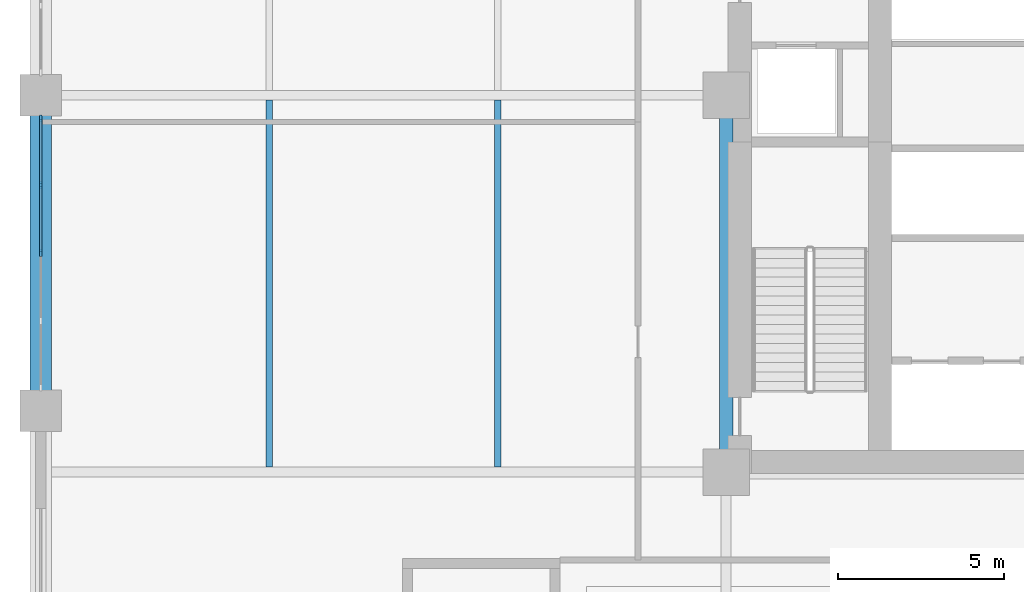
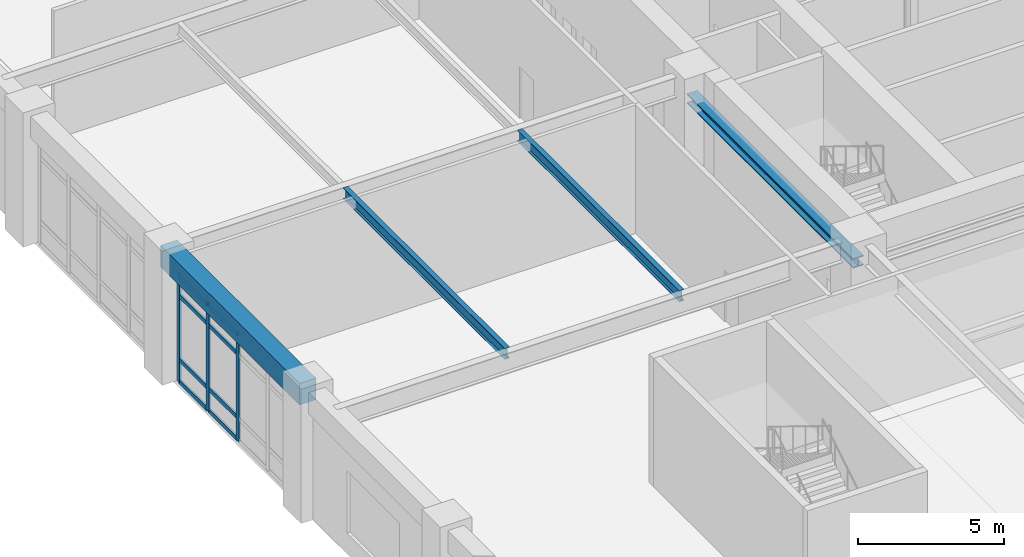
# One storey, part 3 of 21: 12 members, 3 beams, 1 element without a shape of its own.
"""IFC4 building model written with IfcOpenShell, lengths in metres."""

import ifcopenshell
import ifcopenshell.guid

model = None  # the IFC model being written
_history = None  # IfcOwnerHistory: only IFC2X3 demands one
_inside = {}  # id of a spatial element -> (the spatial element, [elements in it])
_under = {}  # id of a project, library or spatial element -> (it, [spatial elements below it])
_declared = {}  # id of a project -> (the project, [libraries it declares])
_typed = {}  # id of a type object -> (the type object, [elements of that type])
_made_of = {}  # id of a material, layer set ... -> (it, [elements and type objects made of it])


def new_model(schema):
    """Start an empty IFC model of exactly this schema.

    Asked for "IFC4X3", IfcOpenShell would pick the latest addendum, in which some entities
    have other attributes; the version numbers below select the first issue.
    IFC2X3 requires an IfcOwnerHistory on every rooted entity: one is made here for all.
    """
    global model, _history
    if schema == "IFC4X3":
        model = ifcopenshell.file(schema_version=(4, 3, 0, 0))
    else:
        model = ifcopenshell.file(schema=schema)
    _inside.clear()
    _under.clear()
    _declared.clear()
    _typed.clear()
    _made_of.clear()
    _history = None
    if model.schema == "IFC2X3":
        org = make("IfcOrganization", Name="unknown")
        user = make(
            "IfcPersonAndOrganization",
            ThePerson=make("IfcPerson", FamilyName="unknown"),
            TheOrganization=org,
        )
        app = make(
            "IfcApplication",
            ApplicationDeveloper=org,
            Version="unknown",
            ApplicationFullName="unknown",
            ApplicationIdentifier="unknown",
        )
        _history = make(
            "IfcOwnerHistory",
            OwningUser=user,
            OwningApplication=app,
            ChangeAction="ADDED",
            CreationDate=0,
        )
    return model


def make(cls, **values):
    """One entity of the class cls with the attributes given. An attribute that is None is left unset."""
    return model.create_entity(
        cls, **{name: value for name, value in values.items() if value is not None}
    )


def rooted(cls, **values):
    """An entity with a GlobalId (a new one), such as an element, a storey or a relation."""
    return make(cls, GlobalId=ifcopenshell.guid.new(), OwnerHistory=_history, **values)


def si_unit(unit_type, name, prefix=None):
    """IfcSIUnit, for example si_unit("LENGTHUNIT", "METRE", prefix="MILLI")."""
    return make("IfcSIUnit", UnitType=unit_type, Prefix=prefix, Name=name)


def assignment(units):
    """IfcUnitAssignment: the units of a project."""
    return None if units is None else make("IfcUnitAssignment", Units=units)


def point(xyz):
    """IfcCartesianPoint."""
    return None if xyz is None else make("IfcCartesianPoint", Coordinates=xyz)


def direction(xyz):
    """IfcDirection."""
    return None if xyz is None else make("IfcDirection", DirectionRatios=xyz)


def frame(location, z_axis=None, x_axis=None):
    """IfcAxis2Placement3D, a coordinate frame: its origin and axes. An axis left out is left unset."""
    return make(
        "IfcAxis2Placement3D",
        Location=point(location),
        Axis=direction(z_axis),
        RefDirection=direction(x_axis),
    )


def frame_2d(location, x_axis=None):
    """IfcAxis2Placement2D, a coordinate frame in the plane: its origin and x axis."""
    return make(
        "IfcAxis2Placement2D", Location=point(location), RefDirection=direction(x_axis)
    )


def origin():
    """The frame at (0, 0, 0) with its axes left unset."""
    return frame((0.0, 0.0, 0.0))


def origin_2d():
    """The frame at (0, 0) in the plane with its x axis left unset."""
    return frame_2d((0.0, 0.0))


def place(relative_to, where):
    """IfcLocalPlacement: puts the frame where relative to a parent placement (None: the world)."""
    return make(
        "IfcLocalPlacement", PlacementRelTo=relative_to, RelativePlacement=where
    )


def context(
    kind, dimensions, precision=None, world=None, true_north=None, identifier=None
):
    """IfcGeometricRepresentationContext, for example the 3D "Model" context."""
    return make(
        "IfcGeometricRepresentationContext",
        ContextIdentifier=identifier,
        ContextType=kind,
        CoordinateSpaceDimension=dimensions,
        Precision=precision,
        WorldCoordinateSystem=world,
        TrueNorth=true_north,
    )


def subcontext(parent, identifier, kind, view, scale=None):
    """IfcGeometricRepresentationSubContext, for example "Body" below "Model"."""
    return make(
        "IfcGeometricRepresentationSubContext",
        ContextIdentifier=identifier,
        ContextType=kind,
        ParentContext=parent,
        TargetScale=scale,
        TargetView=view,
    )


def project(units=None, contexts=None):
    """IfcProject with its units and contexts."""
    return rooted(
        "IfcProject",
        Name="project",
        RepresentationContexts=contexts,
        UnitsInContext=assignment(units),
    )


def spatial(cls, under=None, at=None, **own):
    """A site, building, storey or space (cls), placed at a placement, below another one or the project."""
    s = rooted(cls, ObjectPlacement=at, **own)
    if under is not None:
        _under.setdefault(under.id(), (under, []))[1].append(s)
    return s


def profile(cls, at=None, kind="AREA", **sizes):
    """A parametric profile (cls). Its sizes go by their IFC names, for example OverallWidth=200.0."""
    return make(cls, ProfileType=kind, Position=at, **sizes)


def rectangle(**sizes):
    """IfcRectangleProfileDef."""
    return profile("IfcRectangleProfileDef", **sizes)


def i_section(**sizes):
    """IfcIShapeProfileDef."""
    return profile("IfcIShapeProfileDef", **sizes)


def extrude(swept, where, along, depth):
    """IfcExtrudedAreaSolid: the profile swept, set in the frame where, extruded along a direction by depth."""
    return make(
        "IfcExtrudedAreaSolid",
        SweptArea=swept,
        Position=where,
        ExtrudedDirection=direction(along),
        Depth=depth,
    )


def shape(context_of_items, identifier, shape_type, items):
    """IfcShapeRepresentation: the items that make up one representation, for example the "Body"."""
    return make(
        "IfcShapeRepresentation",
        ContextOfItems=context_of_items,
        RepresentationIdentifier=identifier,
        RepresentationType=shape_type,
        Items=items,
    )


def material(Name=None, Category=None):
    """IfcMaterial."""
    return make("IfcMaterial", Name=Name, Category=Category)


def layer(
    of_material, thickness, ventilated=None, Name=None, Category=None, Priority=None
):
    """IfcMaterialLayer: one layer of a wall or slab, of a material (None: an air gap)."""
    return make(
        "IfcMaterialLayer",
        Material=of_material,
        LayerThickness=thickness,
        IsVentilated=ventilated,
        Name=Name,
        Category=Category,
        Priority=Priority,
    )


def layer_set(layers, Name=None):
    """IfcMaterialLayerSet."""
    return make("IfcMaterialLayerSet", MaterialLayers=layers, LayerSetName=Name)


def material_profile(
    of_material, cross_section, Name=None, Category=None, Priority=None
):
    """IfcMaterialProfile: a cross section and its material."""
    return make(
        "IfcMaterialProfile",
        Name=Name,
        Material=of_material,
        Profile=cross_section,
        Priority=Priority,
        Category=Category,
    )


def profile_set(profiles, Name=None, composite=None):
    """IfcMaterialProfileSet."""
    return make(
        "IfcMaterialProfileSet",
        Name=Name,
        MaterialProfiles=profiles,
        CompositeProfile=composite,
    )


def made_of(thing, what):
    """Note that an element or type object is made of a material, layer set ...; save() writes the relation."""
    if what is not None:
        _made_of.setdefault(what.id(), (what, []))[1].append(thing)
    return thing


def type_object(cls, material=None, **own):
    """A type object (cls), such as IfcWallType, which elements share."""
    return made_of(rooted(cls, **own), material)


def element(
    cls,
    number,
    at=None,
    inside=None,
    cuts=None,
    type_object=None,
    material=None,
    context=None,
    identifier="Body",
    shape_type=None,
    held_by="IfcProductDefinitionShape",
    body=None,
    shapes=None,
    **own,
):
    """One element of the class cls, such as IfcWall. Its Tag is "e" and its number.

    at: its placement. inside: the storey or other place that contains it. cuts: it is an
    opening in that element (IfcRelVoidsElement). A single representation is given by context,
    identifier, shape_type and body (its items); several are given by shapes. held_by: the class
    of the entity that holds the representations. save() writes the other relations.
    """
    e = rooted(cls, Tag="e%d" % number, ObjectPlacement=at, **own)
    if body is not None:
        shapes = [shape(context, identifier, shape_type, body)]
    if shapes is not None:
        e.Representation = make(held_by, Representations=shapes)
    if inside is not None:
        _inside.setdefault(inside.id(), (inside, []))[1].append(e)
    if cuts is not None:
        rooted(
            "IfcRelVoidsElement", RelatingBuildingElement=cuts, RelatedOpeningElement=e
        )
    if type_object is not None:
        _typed.setdefault(type_object.id(), (type_object, []))[1].append(e)
    return made_of(e, material)


def aggregate(whole, parts):
    """IfcRelAggregates: a whole, such as a stair, and the parts it consists of."""
    return rooted("IfcRelAggregates", RelatingObject=whole, RelatedObjects=parts)


def save(model, path):
    """Write the relations noted so far, then the file.

    IfcRelAggregates (storeys below a building ...), IfcRelContainedInSpatialStructure (elements
    in a storey), IfcRelDefinesByType, IfcRelAssociatesMaterial and IfcRelDeclares: one each for
    every whole, place, type object, material and project.
    """
    for whole, parts in _under.values():
        aggregate(whole, parts)
    for where, things in _inside.values():
        rooted(
            "IfcRelContainedInSpatialStructure",
            RelatedElements=things,
            RelatingStructure=where,
        )
    for kind, things in _typed.values():
        rooted("IfcRelDefinesByType", RelatedObjects=things, RelatingType=kind)
    for what, things in _made_of.values():
        rooted("IfcRelAssociatesMaterial", RelatedObjects=things, RelatingMaterial=what)
    for by, libraries in _declared.values():
        rooted("IfcRelDeclares", RelatingContext=by, RelatedDefinitions=libraries)
    model.write(path)


model = new_model("IFC4")

# Units and contexts
model_context = context("Model", 3, precision=1e-05, world=origin(), true_north=direction((0.0, 1.0)))
body_context = subcontext(model_context, "Body", "Model", "MODEL_VIEW")
ifc_project = project(units=[si_unit("LENGTHUNIT", "METRE"), si_unit("AREAUNIT", "SQUARE_METRE"), si_unit("VOLUMEUNIT", "CUBIC_METRE"), si_unit("PLANEANGLEUNIT", "RADIAN"), si_unit("MASSUNIT", "GRAM", prefix="KILO")], contexts=[model_context])

# Site, building, storey
site_placement = place(None, origin())
site = spatial("IfcSite", under=ifc_project, at=site_placement, CompositionType="ELEMENT")
building_placement = place(site_placement, origin())
building = spatial("IfcBuilding", under=site, at=building_placement, Name="Nhamokura Convention Tower", CompositionType="ELEMENT")
storey_placement = place(building_placement, frame((0.0, 0.0, 12.25)))
storey = spatial("IfcBuildingStorey", under=building, at=storey_placement, Name="L02", CompositionType="ELEMENT", Elevation=12.25)

# Curtain wall, members
ifc_material_1 = material(Name="Anodised bronze aluminium AA6063-T6", Category="aluminium")
ifc_layer = layer(ifc_material_1, 0.199951171875)
ifc_layer_set = layer_set([ifc_layer], Name="CWSystem_ConventionFoyer")
curtain_wall_type = type_object("IfcCurtainWallType", Name="CWSystem_ConventionFoyer", PredefinedType="NOTDEFINED", material=ifc_layer_set)
curtain_wall_placement = place(storey_placement, origin())
curtain_wall = element("IfcCurtainWall", 1, at=curtain_wall_placement, inside=storey, type_object=curtain_wall_type, Name="L02 Curtain Wall ENV-L02-CW-W2", PredefinedType="NOTDEFINED")
ifc_material_2 = material(Name="Anodised bronze aluminium AA6063-T6", Category="aluminium")
ifc_material_profile_1 = material_profile(ifc_material_2, rectangle(XDim=0.074951171875, YDim=0.199951171875, at=origin_2d()))
ifc_profile_set_1 = profile_set([ifc_material_profile_1], Name="Anodised bronze aluminium AA6063-T6")
member_type_1 = type_object("IfcMemberType", Name="CWMullion_2", PredefinedType="MULLION", material=ifc_profile_set_1)
member_1_placement = place(storey_placement, frame((0.0, 27.25, 0.0), z_axis=(0.0, 0.0, 1.0), x_axis=(-1.0, 0.0, 0.0)))
member_1 = element("IfcMember", 2, at=member_1_placement, type_object=member_type_1, Name="CW-02 mullion 3", PredefinedType="MULLION", context=body_context, shape_type="SweptSolid", body=[
    extrude(rectangle(XDim=0.074951171875, YDim=0.199951171875, at=origin_2d()), origin(), (0.0, 0.0, 1.0), 4.4599609375),
])
member_2_placement = place(storey_placement, frame((0.0, 29.300048828125, 0.0), z_axis=(0.0, 0.0, 1.0), x_axis=(-1.0, 0.0, 0.0)))
member_2 = element("IfcMember", 3, at=member_2_placement, type_object=member_type_1, Name="CW-02 mullion 4", PredefinedType="MULLION", context=body_context, shape_type="SweptSolid", body=[
    extrude(rectangle(XDim=0.074951171875, YDim=0.199951171875, at=origin_2d()), origin(), (0.0, 0.0, 1.0), 4.4599609375),
])
member_3_placement = place(storey_placement, frame((0.0, 31.3125, 0.0), z_axis=(0.0, 0.0, 1.0), x_axis=(-1.0, 0.0, 0.0)))
member_3 = element("IfcMember", 4, at=member_3_placement, type_object=member_type_1, Name="CW-02 mullion 5", PredefinedType="MULLION", context=body_context, shape_type="SweptSolid", body=[
    extrude(rectangle(XDim=0.074951171875, YDim=0.199951171875, at=origin_2d()), origin(), (0.0, 0.0, 1.0), 4.4599609375),
])
ifc_material_3 = material(Name="Anodised bronze aluminium AA6063-T6", Category="aluminium")
ifc_material_profile_2 = material_profile(ifc_material_3, rectangle(XDim=0.074951171875, YDim=0.169921875, at=origin_2d()))
ifc_profile_set_2 = profile_set([ifc_material_profile_2], Name="Anodised bronze aluminium AA6063-T6")
member_type_2 = type_object("IfcMemberType", Name="CWTransom_2", PredefinedType="USERDEFINED", material=ifc_profile_set_2)
member_4_placement = place(storey_placement, frame((0.0, 27.28759765625, 0.03759765625), z_axis=(0.0, 1.0, 0.0), x_axis=(-1.0, 0.0, 0.0)))
member_4 = element("IfcMember", 5, at=member_4_placement, type_object=member_type_2, Name="CW-02 transom 3.1", ObjectType="TRANSOM", PredefinedType="USERDEFINED", context=body_context, shape_type="SweptSolid", body=[
    extrude(rectangle(XDim=0.074951171875, YDim=0.169921875, at=origin_2d()), origin(), (0.0, 0.0, 1.0), 1.974853515625),
])
member_5_placement = place(storey_placement, frame((0.0, 27.28759765625, 0.949951171875), z_axis=(0.0, 1.0, 0.0), x_axis=(-1.0, 0.0, 0.0)))
member_5 = element("IfcMember", 6, at=member_5_placement, type_object=member_type_2, Name="CW-02 transom 3.2", ObjectType="TRANSOM", PredefinedType="USERDEFINED", context=body_context, shape_type="SweptSolid", body=[
    extrude(rectangle(XDim=0.074951171875, YDim=0.169921875, at=origin_2d()), origin(), (0.0, 0.0, 1.0), 1.974853515625),
])
member_6_placement = place(storey_placement, frame((0.0, 27.28759765625, 3.610107421875), z_axis=(0.0, 1.0, 0.0), x_axis=(-1.0, 0.0, 0.0)))
member_6 = element("IfcMember", 7, at=member_6_placement, type_object=member_type_2, Name="CW-02 transom 3.3", ObjectType="TRANSOM", PredefinedType="USERDEFINED", context=body_context, shape_type="SweptSolid", body=[
    extrude(rectangle(XDim=0.074951171875, YDim=0.169921875, at=origin_2d()), origin(), (0.0, 0.0, 1.0), 1.974853515625),
])
member_7_placement = place(storey_placement, frame((0.0, 27.28759765625, 4.422607421875), z_axis=(0.0, 1.0, 0.0), x_axis=(-1.0, 0.0, 0.0)))
member_7 = element("IfcMember", 8, at=member_7_placement, type_object=member_type_2, Name="CW-02 transom 3.4", ObjectType="TRANSOM", PredefinedType="USERDEFINED", context=body_context, shape_type="SweptSolid", body=[
    extrude(rectangle(XDim=0.074951171875, YDim=0.169921875, at=origin_2d()), origin(), (0.0, 0.0, 1.0), 1.974853515625),
])
member_8_placement = place(storey_placement, frame((0.0, 29.33740234375, 0.03759765625), z_axis=(0.0, 1.0, 0.0), x_axis=(-1.0, 0.0, 0.0)))
member_8 = element("IfcMember", 9, at=member_8_placement, type_object=member_type_2, Name="CW-02 transom 4.1", ObjectType="TRANSOM", PredefinedType="USERDEFINED", context=body_context, shape_type="SweptSolid", body=[
    extrude(rectangle(XDim=0.074951171875, YDim=0.169921875, at=origin_2d()), origin(), (0.0, 0.0, 1.0), 1.9375),
])
member_9_placement = place(storey_placement, frame((0.0, 29.33740234375, 0.949951171875), z_axis=(0.0, 1.0, 0.0), x_axis=(-1.0, 0.0, 0.0)))
member_9 = element("IfcMember", 10, at=member_9_placement, type_object=member_type_2, Name="CW-02 transom 4.2", ObjectType="TRANSOM", PredefinedType="USERDEFINED", context=body_context, shape_type="SweptSolid", body=[
    extrude(rectangle(XDim=0.074951171875, YDim=0.169921875, at=origin_2d()), origin(), (0.0, 0.0, 1.0), 1.9375),
])
member_10_placement = place(storey_placement, frame((0.0, 29.33740234375, 3.610107421875), z_axis=(0.0, 1.0, 0.0), x_axis=(-1.0, 0.0, 0.0)))
member_10 = element("IfcMember", 11, at=member_10_placement, type_object=member_type_2, Name="CW-02 transom 4.3", ObjectType="TRANSOM", PredefinedType="USERDEFINED", context=body_context, shape_type="SweptSolid", body=[
    extrude(rectangle(XDim=0.074951171875, YDim=0.169921875, at=origin_2d()), origin(), (0.0, 0.0, 1.0), 1.9375),
])
member_11_placement = place(storey_placement, frame((0.0, 29.33740234375, 4.422607421875), z_axis=(0.0, 1.0, 0.0), x_axis=(-1.0, 0.0, 0.0)))
member_11 = element("IfcMember", 12, at=member_11_placement, type_object=member_type_2, Name="CW-02 transom 4.4", ObjectType="TRANSOM", PredefinedType="USERDEFINED", context=body_context, shape_type="SweptSolid", body=[
    extrude(rectangle(XDim=0.074951171875, YDim=0.169921875, at=origin_2d()), origin(), (0.0, 0.0, 1.0), 1.9375),
])
aggregate(curtain_wall, [member_1, member_2, member_3, member_4, member_5, member_6, member_7, member_8, member_9, member_10, member_11])

# Beams
ifc_material_4 = material(Name="Steel ASTM A992 Gr 50", Category="steel")
ifc_material_profile_3 = material_profile(ifc_material_4, i_section(OverallWidth=0.19189453125, OverallDepth=0.462890625, WebThickness=0.010498046875, FlangeThickness=0.017578125, at=origin_2d()))
ifc_profile_set_3 = profile_set([ifc_material_profile_3], Name="Steel ASTM A992 Gr 50")
beam_type_1 = type_object("IfcBeamType", Name="FloorJoist_W460X89", PredefinedType="JOIST", material=ifc_profile_set_3)
for number, where, z_axis, x_axis, name in (
    (13, (6.88330078125, 20.794921875, 5.12841796875), (0.0, 1.0, 0.0), (-1.0, 0.0, 0.0), "L02 Composite Floor Joist W1A"),
    (14, (13.7666015625, 20.794921875, 5.12841796875), (0.0, 1.0, 0.0), (-1.0, 0.0, 0.0), "L02 Composite Floor Joist W2A"),
):
    element("IfcBeam", number, at=place(storey_placement, frame(where, z_axis=z_axis, x_axis=x_axis)), inside=storey, type_object=beam_type_1, Name=name, PredefinedType="JOIST", context=body_context, shape_type="SweptSolid", body=[
        extrude(i_section(OverallWidth=0.19189453125, OverallDepth=0.462890625, WebThickness=0.010498046875, FlangeThickness=0.017578125, at=origin_2d()), origin(), (0.0, 0.0, 1.0), 11.06005859375),
    ])

# Member
ifc_material_5 = material(Name="Steel ASTM A572 Gr 50", Category="steel")
ifc_material_profile_4 = material_profile(ifc_material_5, i_section(OverallWidth=0.404052734375, OverallDepth=0.406982421875, WebThickness=0.027099609375, FlangeThickness=0.043701171875, at=origin_2d()))
ifc_profile_set_4 = profile_set([ifc_material_profile_4], Name="Steel ASTM A572 Gr 50")
member_type_3 = type_object("IfcMemberType", Name="HallTrussChord_W360X347", PredefinedType="CHORD", material=ifc_profile_set_4)
member_12_placement = place(storey_placement, frame((20.64990234375, 20.64990234375, 4.2099609375), z_axis=(0.0, 1.0, 0.0), x_axis=(-1.0, 0.0, 0.0)))
element("IfcMember", 15, at=member_12_placement, inside=storey, type_object=member_type_3, Name="L02 Convention Hall Truss Chord HTC-W", PredefinedType="CHORD", context=body_context, shape_type="SweptSolid", body=[
    extrude(i_section(OverallWidth=0.404052734375, OverallDepth=0.406982421875, WebThickness=0.027099609375, FlangeThickness=0.043701171875, at=origin_2d()), origin(), (0.0, 0.0, 1.0), 11.35009765625),
])

# Beam
ifc_material_6 = material(Name="Concrete C60/75", Category="concrete")
ifc_material_profile_5 = material_profile(ifc_material_6, rectangle(XDim=0.64990234375, YDim=0.89990234375, at=origin_2d()))
ifc_profile_set_5 = profile_set([ifc_material_profile_5], Name="Concrete C60/75")
beam_type_2 = type_object("IfcBeamType", Name="TubeSpandrel_900", PredefinedType="SPANDREL", material=ifc_profile_set_5)
beam_placement = place(storey_placement, frame((0.0, 22.5, 4.909912109375), z_axis=(0.0, 1.0, 0.0), x_axis=(-1.0, 0.0, 0.0)))
element("IfcBeam", 16, at=beam_placement, inside=storey, type_object=beam_type_2, Name="L02 Perimeter Spandrel WEST 3", PredefinedType="SPANDREL", context=body_context, shape_type="SweptSolid", body=[
    extrude(rectangle(XDim=0.64990234375, YDim=0.89990234375, at=origin_2d()), origin(), (0.0, 0.0, 1.0), 9.5),
])

save(model, "model.ifc")
